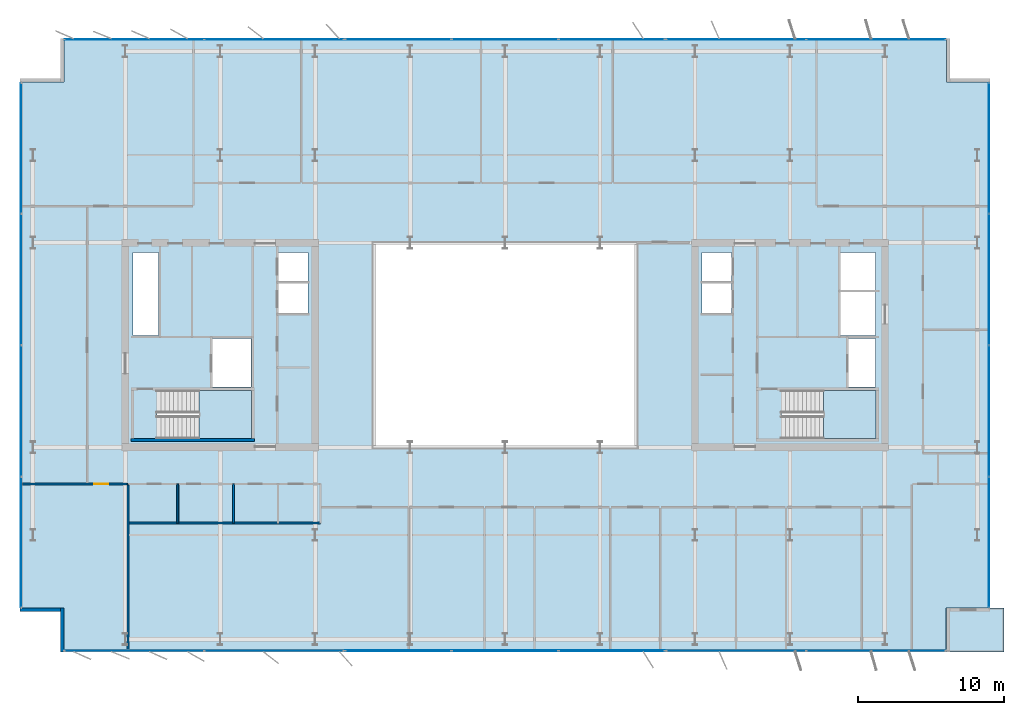
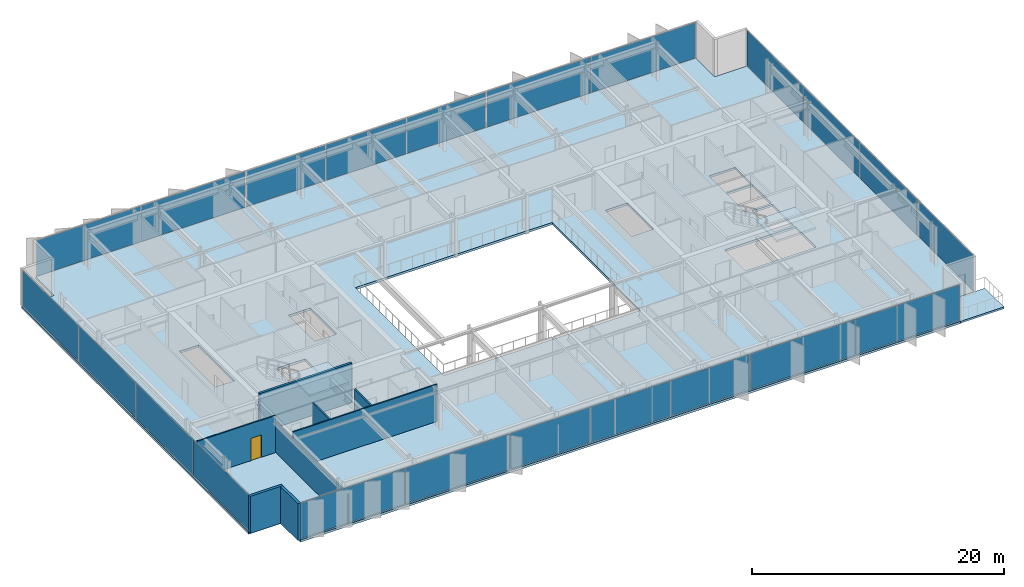
# One storey, part 16 of 24: 22 plates, 8 walls, 4 slabs, 1 door, 1 opening, 10 elements without a shape of their own.
"""IFC4 building model written with IfcOpenShell, lengths in metres."""

from ifc_helpers import new_model, si_unit, direction, frame, frame_2d, origin, origin_2d, place, context, subcontext, project, spatial, polyline, rectangle, outline, extrude, material, layer, layer_set, type_object, element, fill, aggregate, save


model = new_model("IFC4")

# Units and contexts
model_context = context("Model", 3, precision=1e-05, world=origin(), true_north=direction((0.0, 1.0)))
body_context = subcontext(model_context, "Body", "Model", "MODEL_VIEW")
ifc_project = project(units=[si_unit("LENGTHUNIT", "METRE"), si_unit("AREAUNIT", "SQUARE_METRE"), si_unit("VOLUMEUNIT", "CUBIC_METRE"), si_unit("PLANEANGLEUNIT", "RADIAN"), si_unit("MASSUNIT", "GRAM", prefix="KILO")], contexts=[model_context])

# Site, building, storey
site_placement = place(None, origin())
site = spatial("IfcSite", under=ifc_project, at=site_placement, CompositionType="ELEMENT")
building_placement = place(site_placement, origin())
building = spatial("IfcBuilding", under=site, at=building_placement, Name="Putna Gate Headquarters", CompositionType="ELEMENT")
storey_placement = place(building_placement, frame((0.0, 0.0, 244.199951171875)))
storey = spatial("IfcBuildingStorey", under=building, at=storey_placement, Name="L61", CompositionType="ELEMENT", Elevation=244.199951171875)

# Stair, slab
ifc_material_1 = material(Name="Concrete C40/50", Category="concrete")
stair_type_1 = type_object("IfcStairType", Name="STAIR-ST1", PredefinedType="HALF_TURN_STAIR", material=ifc_material_1)
stair_1_placement = place(storey_placement, origin())
stair_1 = element("IfcStair", 1, at=stair_1_placement, inside=storey, type_object=stair_type_1, Name="L61 West Core Exit Stair ST1", PredefinedType="HALF_TURN_STAIR")
ifc_layer_1 = layer(ifc_material_1, 0.199951171875)
ifc_layer_set_1 = layer_set([ifc_layer_1], Name="Concrete C40/50")
slab_type_1 = type_object("IfcSlabType", Name="LANDING-ST1", PredefinedType="LANDING", material=ifc_layer_set_1)
slab_1_placement = place(storey_placement, frame((0.0, 0.0, 1.699951171875)))
slab_1 = element("IfcSlab", 2, at=slab_1_placement, type_object=slab_type_1, Name="ST1 landing 1", PredefinedType="LANDING", context=body_context, shape_type="SweptSolid", body=[
    extrude(outline(polyline([(18.050048828125, 19.60009765625), (21.64990234375, 19.60009765625), (21.64990234375, 22.89990234375), (18.050048828125, 22.89990234375), (18.050048828125, 19.60009765625)])), origin(), (0.0, 0.0, 1.0), 0.2001953125),
])
aggregate(stair_1, [slab_1])

stair_type_2 = type_object("IfcStairType", Name="STAIR-ST2", PredefinedType="HALF_TURN_STAIR", material=ifc_material_1)
stair_2_placement = place(storey_placement, origin())
stair_2 = element("IfcStair", 3, at=stair_2_placement, inside=storey, type_object=stair_type_2, Name="L61 East Core Exit Stair ST2", PredefinedType="HALF_TURN_STAIR")
ifc_layer_2 = layer(ifc_material_1, 0.199951171875)
ifc_layer_set_2 = layer_set([ifc_layer_2], Name="Concrete C40/50")
slab_type_2 = type_object("IfcSlabType", Name="LANDING-ST2", PredefinedType="LANDING", material=ifc_layer_set_2)
slab_2_placement = place(storey_placement, frame((0.0, 0.0, 1.699951171875)))
slab_2 = element("IfcSlab", 4, at=slab_2_placement, type_object=slab_type_2, Name="ST2 landing 1", PredefinedType="LANDING", context=body_context, shape_type="SweptSolid", body=[
    extrude(outline(polyline([(60.800048828125, 19.60009765625), (64.39990234375, 19.60009765625), (64.39990234375, 22.89990234375), (60.800048828125, 22.89990234375), (60.800048828125, 19.60009765625)])), origin(), (0.0, 0.0, 1.0), 0.2001953125),
])
aggregate(stair_2, [slab_2])

# Curtain wall, plates
ifc_material_2 = material(Name="Anodised bronze aluminium curtain wall", Category="aluminium")
ifc_layer_3 = layer(ifc_material_2, 0.139892578125)
ifc_layer_set_3 = layer_set([ifc_layer_3], Name="Anodised bronze aluminium curtain wall")
curtain_wall_type_1 = type_object("IfcCurtainWallType", Name="CW-SYS-Z4", PredefinedType="USERDEFINED", material=ifc_layer_set_3)
curtain_wall_1_placement = place(storey_placement, origin())
curtain_wall_1 = element("IfcCurtainWall", 5, at=curtain_wall_1_placement, inside=storey, type_object=curtain_wall_type_1, Name="L61 South West Curtain Wall", ObjectType="STICK CURTAIN WALL", PredefinedType="USERDEFINED")
ifc_material_3 = material(Name="Solar-control triple low-E glass", Category="glass")
ifc_layer_4 = layer(ifc_material_3, 0.02587890625)
ifc_layer_set_4 = layer_set([ifc_layer_4], Name="Solar-control triple low-E glass")
plate_type_1 = type_object("IfcPlateType", Name="PAN-CWP-4", PredefinedType="CURTAIN_PANEL", material=ifc_layer_set_4)
plate_1_placement = place(storey_placement, frame((13.614990234375, 5.080078125, 0.06005859375), z_axis=(0.0, 0.0, 1.0), x_axis=(1.0, 0.0, 0.0)))
plate_1 = element("IfcPlate", 6, at=plate_1_placement, type_object=plate_type_1, Name="CWS-4 panel 1.1", PredefinedType="CURTAIN_PANEL", context=body_context, shape_type="SweptSolid", body=[
    extrude(rectangle(XDim=9.510009765625, YDim=0.02587890625, at=origin_2d()), origin(), (0.0, 0.0, 1.0), 3.4599609375),
])
plate_2_placement = place(storey_placement, frame((23.18505859375, 5.080078125, 0.06005859375), z_axis=(0.0, 0.0, 1.0), x_axis=(1.0, 0.0, 0.0)))
plate_2 = element("IfcPlate", 7, at=plate_2_placement, type_object=plate_type_1, Name="CWS-4 panel 2.1", PredefinedType="CURTAIN_PANEL", context=body_context, shape_type="SweptSolid", body=[
    extrude(rectangle(XDim=9.510009765625, YDim=0.02587890625, at=origin_2d()), origin(), (0.0, 0.0, 1.0), 3.4599609375),
])
aggregate(curtain_wall_1, [plate_1, plate_2])

curtain_wall_2_placement = place(storey_placement, origin())
curtain_wall_2 = element("IfcCurtainWall", 8, at=curtain_wall_2_placement, inside=storey, type_object=curtain_wall_type_1, Name="L61 South East Curtain Wall", ObjectType="STICK CURTAIN WALL", PredefinedType="USERDEFINED")
plate_3_placement = place(storey_placement, frame((54.81494140625, 5.080078125, 0.06005859375), z_axis=(0.0, 0.0, 1.0), x_axis=(1.0, 0.0, 0.0)))
plate_3 = element("IfcPlate", 9, at=plate_3_placement, type_object=plate_type_1, Name="CWS-4 panel 1.1", PredefinedType="CURTAIN_PANEL", context=body_context, shape_type="SweptSolid", body=[
    extrude(rectangle(XDim=9.510009765625, YDim=0.02587890625, at=origin_2d()), origin(), (0.0, 0.0, 1.0), 3.4599609375),
])
plate_4_placement = place(storey_placement, frame((64.385009765625, 5.080078125, 0.06005859375), z_axis=(0.0, 0.0, 1.0), x_axis=(1.0, 0.0, 0.0)))
plate_4 = element("IfcPlate", 10, at=plate_4_placement, type_object=plate_type_1, Name="CWS-4 panel 2.1", PredefinedType="CURTAIN_PANEL", context=body_context, shape_type="SweptSolid", body=[
    extrude(rectangle(XDim=9.510009765625, YDim=0.02587890625, at=origin_2d()), origin(), (0.0, 0.0, 1.0), 3.4599609375),
])
aggregate(curtain_wall_2, [plate_3, plate_4])

curtain_wall_3_placement = place(storey_placement, origin())
curtain_wall_3 = element("IfcCurtainWall", 11, at=curtain_wall_3_placement, inside=storey, type_object=curtain_wall_type_1, Name="L61 North West Curtain Wall", ObjectType="STICK CURTAIN WALL", PredefinedType="USERDEFINED")
plate_5_placement = place(storey_placement, frame((13.614990234375, 46.919921875, 0.06005859375), z_axis=(0.0, 0.0, 1.0), x_axis=(1.0, 0.0, 0.0)))
plate_5 = element("IfcPlate", 12, at=plate_5_placement, type_object=plate_type_1, Name="CWS-4 panel 1.1", PredefinedType="CURTAIN_PANEL", context=body_context, shape_type="SweptSolid", body=[
    extrude(rectangle(XDim=9.510009765625, YDim=0.02587890625, at=origin_2d()), origin(), (0.0, 0.0, 1.0), 3.4599609375),
])
plate_6_placement = place(storey_placement, frame((23.18505859375, 46.919921875, 0.06005859375), z_axis=(0.0, 0.0, 1.0), x_axis=(1.0, 0.0, 0.0)))
plate_6 = element("IfcPlate", 13, at=plate_6_placement, type_object=plate_type_1, Name="CWS-4 panel 2.1", PredefinedType="CURTAIN_PANEL", context=body_context, shape_type="SweptSolid", body=[
    extrude(rectangle(XDim=9.510009765625, YDim=0.02587890625, at=origin_2d()), origin(), (0.0, 0.0, 1.0), 3.4599609375),
])
aggregate(curtain_wall_3, [plate_5, plate_6])

curtain_wall_4_placement = place(storey_placement, origin())
curtain_wall_4 = element("IfcCurtainWall", 14, at=curtain_wall_4_placement, inside=storey, type_object=curtain_wall_type_1, Name="L61 North East Curtain Wall", ObjectType="STICK CURTAIN WALL", PredefinedType="USERDEFINED")
plate_7_placement = place(storey_placement, frame((54.81494140625, 46.919921875, 0.06005859375), z_axis=(0.0, 0.0, 1.0), x_axis=(1.0, 0.0, 0.0)))
plate_7 = element("IfcPlate", 15, at=plate_7_placement, type_object=plate_type_1, Name="CWS-4 panel 1.1", PredefinedType="CURTAIN_PANEL", context=body_context, shape_type="SweptSolid", body=[
    extrude(rectangle(XDim=9.510009765625, YDim=0.02587890625, at=origin_2d()), origin(), (0.0, 0.0, 1.0), 3.4599609375),
])
plate_8_placement = place(storey_placement, frame((64.385009765625, 46.919921875, 0.06005859375), z_axis=(0.0, 0.0, 1.0), x_axis=(1.0, 0.0, 0.0)))
plate_8 = element("IfcPlate", 16, at=plate_8_placement, type_object=plate_type_1, Name="CWS-4 panel 2.1", PredefinedType="CURTAIN_PANEL", context=body_context, shape_type="SweptSolid", body=[
    extrude(rectangle(XDim=9.510009765625, YDim=0.02587890625, at=origin_2d()), origin(), (0.0, 0.0, 1.0), 3.4599609375),
])
aggregate(curtain_wall_4, [plate_7, plate_8])

curtain_wall_5_placement = place(storey_placement, origin())
curtain_wall_5 = element("IfcCurtainWall", 17, at=curtain_wall_5_placement, inside=storey, type_object=curtain_wall_type_1, Name="L61 West Curtain Wall", ObjectType="STICK CURTAIN WALL", PredefinedType="USERDEFINED")
plate_9_placement = place(storey_placement, frame((5.8798828125, 12.514892578125, 0.06005859375), z_axis=(0.0, 0.0, 1.0), x_axis=(0.0, 1.0, 0.0)))
plate_9 = element("IfcPlate", 18, at=plate_9_placement, type_object=plate_type_1, Name="CWS-4 panel 1.1", PredefinedType="CURTAIN_PANEL", context=body_context, shape_type="SweptSolid", body=[
    extrude(rectangle(XDim=8.909912109375, YDim=0.02587890625, at=origin_2d()), origin(), (0.0, 0.0, 1.0), 3.4599609375),
])
plate_10_placement = place(storey_placement, frame((5.8798828125, 21.5, 0.06005859375), z_axis=(0.0, 0.0, 1.0), x_axis=(0.0, 1.0, 0.0)))
plate_10 = element("IfcPlate", 19, at=plate_10_placement, type_object=plate_type_1, Name="CWS-4 panel 2.1", PredefinedType="CURTAIN_PANEL", context=body_context, shape_type="SweptSolid", body=[
    extrude(rectangle(XDim=8.93994140625, YDim=0.02587890625, at=origin_2d()), origin(), (0.0, 0.0, 1.0), 3.4599609375),
])
plate_11_placement = place(storey_placement, frame((5.8798828125, 30.5, 0.06005859375), z_axis=(0.0, 0.0, 1.0), x_axis=(0.0, 1.0, 0.0)))
plate_11 = element("IfcPlate", 20, at=plate_11_placement, type_object=plate_type_1, Name="CWS-4 panel 3.1", PredefinedType="CURTAIN_PANEL", context=body_context, shape_type="SweptSolid", body=[
    extrude(rectangle(XDim=8.93994140625, YDim=0.02587890625, at=origin_2d()), origin(), (0.0, 0.0, 1.0), 3.4599609375),
])
plate_12_placement = place(storey_placement, frame((5.8798828125, 39.485107421875, 0.06005859375), z_axis=(0.0, 0.0, 1.0), x_axis=(0.0, 1.0, 0.0)))
plate_12 = element("IfcPlate", 21, at=plate_12_placement, type_object=plate_type_1, Name="CWS-4 panel 4.1", PredefinedType="CURTAIN_PANEL", context=body_context, shape_type="SweptSolid", body=[
    extrude(rectangle(XDim=8.909912109375, YDim=0.02587890625, at=origin_2d()), origin(), (0.0, 0.0, 1.0), 3.4599609375),
])
aggregate(curtain_wall_5, [plate_9, plate_10, plate_11, plate_12])

curtain_wall_6_placement = place(storey_placement, origin())
curtain_wall_6 = element("IfcCurtainWall", 22, at=curtain_wall_6_placement, inside=storey, type_object=curtain_wall_type_1, Name="L61 East Curtain Wall", ObjectType="STICK CURTAIN WALL", PredefinedType="USERDEFINED")
plate_13_placement = place(storey_placement, frame((72.1201171875, 12.514892578125, 0.06005859375), z_axis=(0.0, 0.0, 1.0), x_axis=(0.0, 1.0, 0.0)))
plate_13 = element("IfcPlate", 23, at=plate_13_placement, type_object=plate_type_1, Name="CWS-4 panel 1.1", PredefinedType="CURTAIN_PANEL", context=body_context, shape_type="SweptSolid", body=[
    extrude(rectangle(XDim=8.909912109375, YDim=0.02587890625, at=origin_2d()), origin(), (0.0, 0.0, 1.0), 3.4599609375),
])
plate_14_placement = place(storey_placement, frame((72.1201171875, 21.5, 0.06005859375), z_axis=(0.0, 0.0, 1.0), x_axis=(0.0, 1.0, 0.0)))
plate_14 = element("IfcPlate", 24, at=plate_14_placement, type_object=plate_type_1, Name="CWS-4 panel 2.1", PredefinedType="CURTAIN_PANEL", context=body_context, shape_type="SweptSolid", body=[
    extrude(rectangle(XDim=8.93994140625, YDim=0.02587890625, at=origin_2d()), origin(), (0.0, 0.0, 1.0), 3.4599609375),
])
plate_15_placement = place(storey_placement, frame((72.1201171875, 30.5, 0.06005859375), z_axis=(0.0, 0.0, 1.0), x_axis=(0.0, 1.0, 0.0)))
plate_15 = element("IfcPlate", 25, at=plate_15_placement, type_object=plate_type_1, Name="CWS-4 panel 3.1", PredefinedType="CURTAIN_PANEL", context=body_context, shape_type="SweptSolid", body=[
    extrude(rectangle(XDim=8.93994140625, YDim=0.02587890625, at=origin_2d()), origin(), (0.0, 0.0, 1.0), 3.4599609375),
])
plate_16_placement = place(storey_placement, frame((72.1201171875, 39.485107421875, 0.06005859375), z_axis=(0.0, 0.0, 1.0), x_axis=(0.0, 1.0, 0.0)))
plate_16 = element("IfcPlate", 26, at=plate_16_placement, type_object=plate_type_1, Name="CWS-4 panel 4.1", PredefinedType="CURTAIN_PANEL", context=body_context, shape_type="SweptSolid", body=[
    extrude(rectangle(XDim=8.909912109375, YDim=0.02587890625, at=origin_2d()), origin(), (0.0, 0.0, 1.0), 3.4599609375),
])
aggregate(curtain_wall_6, [plate_13, plate_14, plate_15, plate_16])

ifc_layer_5 = layer(ifc_material_2, 0.179931640625)
ifc_layer_set_5 = layer_set([ifc_layer_5], Name="Anodised bronze aluminium curtain wall")
curtain_wall_type_2 = type_object("IfcCurtainWallType", Name="CW-SYS-ATR", PredefinedType="USERDEFINED", material=ifc_layer_set_5)
curtain_wall_7_placement = place(storey_placement, origin())
curtain_wall_7 = element("IfcCurtainWall", 27, at=curtain_wall_7_placement, inside=storey, type_object=curtain_wall_type_2, Name="L61 South Atrium Clear Glazing", ObjectType="ATRIUM GLAZING", PredefinedType="USERDEFINED")
ifc_material_4 = material(Name="Clear low-iron triple glazing", Category="glass")
ifc_layer_6 = layer(ifc_material_4, 0.0400390625)
ifc_layer_set_6 = layer_set([ifc_layer_6], Name="Clear low-iron triple glazing")
plate_type_2 = type_object("IfcPlateType", Name="PAN-CWP-AT", PredefinedType="CURTAIN_PANEL", material=ifc_layer_set_6)
plate_17_placement = place(storey_placement, frame((31.68408203125, 5.080078125, 0.070068359375), z_axis=(0.0, 0.0, 1.0), x_axis=(1.0, 0.0, 0.0)))
plate_17 = element("IfcPlate", 28, at=plate_17_placement, type_object=plate_type_2, Name="CWS-AT panel 1.1", PredefinedType="CURTAIN_PANEL", context=body_context, shape_type="SweptSolid", body=[
    extrude(rectangle(XDim=7.228271484375, YDim=0.0400390625, at=origin_2d()), origin(), (0.0, 0.0, 1.0), 3.43994140625),
])
plate_18_placement = place(storey_placement, frame((39.0, 5.080078125, 0.070068359375), z_axis=(0.0, 0.0, 1.0), x_axis=(1.0, 0.0, 0.0)))
plate_18 = element("IfcPlate", 29, at=plate_18_placement, type_object=plate_type_2, Name="CWS-AT panel 2.1", PredefinedType="CURTAIN_PANEL", context=body_context, shape_type="SweptSolid", body=[
    extrude(rectangle(XDim=7.263427734375, YDim=0.0400390625, at=origin_2d()), origin(), (0.0, 0.0, 1.0), 3.43994140625),
])
plate_19_placement = place(storey_placement, frame((46.31591796875, 5.080078125, 0.070068359375), z_axis=(0.0, 0.0, 1.0), x_axis=(1.0, 0.0, 0.0)))
plate_19 = element("IfcPlate", 30, at=plate_19_placement, type_object=plate_type_2, Name="CWS-AT panel 3.1", PredefinedType="CURTAIN_PANEL", context=body_context, shape_type="SweptSolid", body=[
    extrude(rectangle(XDim=7.228271484375, YDim=0.0400390625, at=origin_2d()), origin(), (0.0, 0.0, 1.0), 3.43994140625),
])
aggregate(curtain_wall_7, [plate_17, plate_18, plate_19])

curtain_wall_8_placement = place(storey_placement, origin())
curtain_wall_8 = element("IfcCurtainWall", 31, at=curtain_wall_8_placement, inside=storey, type_object=curtain_wall_type_2, Name="L61 North Atrium Clear Glazing", ObjectType="ATRIUM GLAZING", PredefinedType="USERDEFINED")
plate_20_placement = place(storey_placement, frame((31.68408203125, 46.919921875, 0.070068359375), z_axis=(0.0, 0.0, 1.0), x_axis=(1.0, 0.0, 0.0)))
plate_20 = element("IfcPlate", 32, at=plate_20_placement, type_object=plate_type_2, Name="CWS-AT panel 1.1", PredefinedType="CURTAIN_PANEL", context=body_context, shape_type="SweptSolid", body=[
    extrude(rectangle(XDim=7.228271484375, YDim=0.0400390625, at=origin_2d()), origin(), (0.0, 0.0, 1.0), 3.43994140625),
])
plate_21_placement = place(storey_placement, frame((39.0, 46.919921875, 0.070068359375), z_axis=(0.0, 0.0, 1.0), x_axis=(1.0, 0.0, 0.0)))
plate_21 = element("IfcPlate", 33, at=plate_21_placement, type_object=plate_type_2, Name="CWS-AT panel 2.1", PredefinedType="CURTAIN_PANEL", context=body_context, shape_type="SweptSolid", body=[
    extrude(rectangle(XDim=7.263427734375, YDim=0.0400390625, at=origin_2d()), origin(), (0.0, 0.0, 1.0), 3.43994140625),
])
plate_22_placement = place(storey_placement, frame((46.31591796875, 46.919921875, 0.070068359375), z_axis=(0.0, 0.0, 1.0), x_axis=(1.0, 0.0, 0.0)))
plate_22 = element("IfcPlate", 34, at=plate_22_placement, type_object=plate_type_2, Name="CWS-AT panel 3.1", PredefinedType="CURTAIN_PANEL", context=body_context, shape_type="SweptSolid", body=[
    extrude(rectangle(XDim=7.228271484375, YDim=0.0400390625, at=origin_2d()), origin(), (0.0, 0.0, 1.0), 3.43994140625),
])
aggregate(curtain_wall_8, [plate_20, plate_21, plate_22])

# Slabs
ifc_layer_7 = layer(ifc_material_1, 0.179931640625)
ifc_layer_set_7 = layer_set([ifc_layer_7], Name="Concrete C40/50")
slab_type_3 = type_object("IfcSlabType", Name="SLAB-TERRACE-180", PredefinedType="FLOOR", material=ifc_layer_set_7)
slab_3_placement = place(storey_placement, frame((0.0, 0.0, -0.179931640625)))
element("IfcSlab", 35, at=slab_3_placement, inside=storey, type_object=slab_type_3, Name="L61 Spiral Sky-Garden Terrace Slab (SE)", PredefinedType="FLOOR", context=body_context, shape_type="SweptSolid", body=[
    extrude(outline(polyline([(69.19189453125, 5.0), (73.14990234375, 5.0), (73.14990234375, 8.008056640625), (69.19189453125, 8.008056640625), (69.19189453125, 5.0)])), origin(), (0.0, 0.0, 1.0), 0.179931640625),
])
ifc_layer_8 = layer(ifc_material_1, 0.219970703125)
ifc_layer_set_8 = layer_set([ifc_layer_8], Name="Concrete C40/50")
slab_type_4 = type_object("IfcSlabType", Name="SLAB-Z4-220", PredefinedType="FLOOR", material=ifc_layer_set_8)
slab_4_placement = place(storey_placement, frame((0.0, 0.0, -0.219970703125)))
element("IfcSlab", 36, at=slab_4_placement, inside=storey, type_object=slab_type_4, Name="L61 Composite Floor Slab", PredefinedType="FLOOR", context=body_context, shape_type="SweptSolid", body=[
    extrude(outline(polyline([(8.800048828125, 5.0), (69.199951171875, 5.0), (69.199951171875, 8.0), (72.199951171875, 8.0), (72.199951171875, 44.0), (69.199951171875, 44.0), (69.199951171875, 47.0), (8.800048828125, 47.0), (8.800048828125, 44.0), (5.800048828125, 44.0), (5.800048828125, 8.0), (8.800048828125, 8.0), (8.800048828125, 5.0)]), holes=[polyline([(15.1650390625, 19.60009765625), (21.64990234375, 19.60009765625), (21.64990234375, 22.89990234375), (15.1650390625, 22.89990234375), (15.1650390625, 19.60009765625)]), polyline([(57.9150390625, 19.60009765625), (64.39990234375, 19.60009765625), (64.39990234375, 22.89990234375), (57.9150390625, 22.89990234375), (57.9150390625, 19.60009765625)]), polyline([(13.52001953125, 26.659912109375), (15.280029296875, 26.659912109375), (15.280029296875, 32.35009765625), (13.52001953125, 32.35009765625), (13.52001953125, 26.659912109375)]), polyline([(61.969970703125, 29.780029296875), (64.35009765625, 29.780029296875), (64.35009765625, 32.35009765625), (61.969970703125, 32.35009765625), (61.969970703125, 29.780029296875)]), polyline([(18.97998046875, 23.1201171875), (21.6201171875, 23.1201171875), (21.6201171875, 26.4599609375), (18.97998046875, 26.4599609375), (18.97998046875, 23.1201171875)]), polyline([(62.52001953125, 23.1201171875), (64.35009765625, 23.1201171875), (64.35009765625, 26.4599609375), (62.52001953125, 26.4599609375), (62.52001953125, 23.1201171875)]), polyline([(61.969970703125, 26.659912109375), (64.35009765625, 26.659912109375), (64.35009765625, 29.6201171875), (61.969970703125, 29.6201171875), (61.969970703125, 26.659912109375)]), polyline([(23.5, 28.199951171875), (25.5, 28.199951171875), (25.5, 32.35009765625), (23.5, 32.35009765625), (23.5, 28.199951171875)]), polyline([(52.47998046875, 28.199951171875), (54.5, 28.199951171875), (54.5, 32.35009765625), (52.47998046875, 32.35009765625), (52.47998046875, 28.199951171875)]), polyline([(30.0, 19.0), (48.0, 19.0), (48.0, 33.0), (30.0, 33.0), (30.0, 19.0)])]), origin(), (0.0, 0.0, 1.0), 0.219970703125),
])

# Walls
ifc_material_5 = material(Name="Precast concrete C40/50", Category="concrete")
ifc_layer_9 = layer(ifc_material_5, 0.239990234375)
ifc_layer_set_9 = layer_set([ifc_layer_9], Name="Precast concrete C40/50")
wall_type_1 = type_object("IfcWallType", Name="WALL-EXT-TERR-240", PredefinedType="STANDARD", material=ifc_layer_set_9)
for number, where, z_axis, x_axis, name in (
    (37, (8.679931640625, 5.0, 0.0), (0.0, 0.0, 1.0), (0.0, 1.0, 0.0), "L61 Corner Notch Return Wall SW-V"),
    (38, (8.800048828125, 7.8798828125, 0.0), (0.0, 0.0, 1.0), (-1.0, 0.0, 0.0), "L61 Corner Notch Return Wall SW-H"),
):
    element("IfcWall", number, at=place(storey_placement, frame(where, z_axis=z_axis, x_axis=x_axis)), inside=storey, type_object=wall_type_1, Name=name, PredefinedType="STANDARD", context=body_context, shape_type="SweptSolid", body=[
        extrude(rectangle(XDim=3.0, YDim=0.239990234375, at=frame_2d((1.5, 0.0))), origin(), (0.0, 0.0, 1.0), 3.580078125),
    ])
ifc_material_6 = material(Name="Acoustic gypsum board on metal stud")
ifc_layer_10 = layer(ifc_material_6, 0.1201171875)
ifc_layer_set_10 = layer_set([ifc_layer_10], Name="Acoustic gypsum board on metal stud")
wall_type_2 = type_object("IfcWallType", Name="WALL-PART-120", PredefinedType="PARTITIONING", material=ifc_layer_set_10)
wall_1_placement = place(storey_placement, frame((13.199951171875, 5.02001953125, 0.0), z_axis=(0.0, 0.0, 1.0), x_axis=(0.0, 1.0, 0.0)))
element("IfcWall", 39, at=wall_1_placement, inside=storey, type_object=wall_type_2, Name="L61 Interior Wall PART-L61-SB-DIV-01", PredefinedType="PARTITIONING", context=body_context, shape_type="SweptSolid", body=[
    extrude(rectangle(XDim=11.419921875, YDim=0.1201171875, at=frame_2d((5.7099609375, 0.0))), origin(), (0.0, 0.0, 1.0), 2.880126953125),
])
ifc_material_7 = material(Name="Fire-rated gypsum board on metal stud")
ifc_layer_11 = layer(ifc_material_7, 0.1201171875)
ifc_layer_set_11 = layer_set([ifc_layer_11], Name="Fire-rated gypsum board on metal stud")
wall_type_3 = type_object("IfcWallType", Name="WALL-PART-120-RATED", PredefinedType="PARTITIONING", material=ifc_layer_set_11)
wall_2_placement = place(storey_placement, frame((13.199951171875, 13.820068359375, 0.0), z_axis=(0.0, 0.0, 1.0), x_axis=(1.0, 0.0, 0.0)))
element("IfcWall", 40, at=wall_2_placement, inside=storey, type_object=wall_type_3, Name="L61 Interior Wall PART-L61-SAN-BACK", PredefinedType="PARTITIONING", context=body_context, shape_type="SweptSolid", body=[
    extrude(rectangle(XDim=13.16015625, YDim=0.1201171875, at=frame_2d((6.580078125, 0.0))), origin(), (0.0, 0.0, 1.0), 3.580078125),
])
for number, where, z_axis, x_axis, name in (
    (41, (16.60009765625, 13.820068359375, 0.0), (0.0, 0.0, 1.0), (0.0, 1.0, 0.0), "L61 Interior Wall PART-L61-SAN-DIV-1"),
    (42, (20.419921875, 13.820068359375, 0.0), (0.0, 0.0, 1.0), (0.0, 1.0, 0.0), "L61 Interior Wall PART-L61-SAN-DIV-2"),
):
    element("IfcWall", number, at=place(storey_placement, frame(where, z_axis=z_axis, x_axis=x_axis)), inside=storey, type_object=wall_type_3, Name=name, PredefinedType="PARTITIONING", context=body_context, shape_type="SweptSolid", body=[
        extrude(rectangle(XDim=2.679931640625, YDim=0.1201171875, at=frame_2d((1.33984375, 0.0))), origin(), (0.0, 0.0, 1.0), 3.580078125),
    ])

# Wall, opening, door
wall_3_placement = place(storey_placement, frame((5.97998046875, 16.5, 0.0), z_axis=(0.0, 0.0, 1.0), x_axis=(1.0, 0.0, 0.0)))
wall_3 = element("IfcWall", 43, at=wall_3_placement, inside=storey, type_object=wall_type_3, Name="L61 Interior Wall PART-L61-SB-CW-01", PredefinedType="PARTITIONING", context=body_context, shape_type="SweptSolid", body=[
    extrude(rectangle(XDim=7.159912109375, YDim=0.1201171875, at=frame_2d((3.580078125, 0.0))), origin(), (0.0, 0.0, 1.0), 3.580078125),
])
opening_placement = place(wall_3_placement, frame((4.89990234375, 0.0, 0.0)))
opening = element("IfcOpeningElement", 44, at=opening_placement, cuts=wall_3, Name="Opening FD-95", PredefinedType="OPENING", context=body_context, shape_type="SweptSolid", body=[
    extrude(rectangle(XDim=0.949951171875, YDim=2.14990234375, at=frame_2d((0.47509765625, 1.074951171875))), frame((0.0, 0.070068359375, 0.0), z_axis=(0.0, -1.0, 0.0), x_axis=(1.0, 0.0, 0.0)), (0.0, 0.0, 1.0), 0.14013671875),
])
ifc_material_8 = material(Name="Acoustic timber fire door", Category="wood")
door_type = type_object("IfcDoorType", Name="DOOR-FIRE-950", OperationType="NOTDEFINED", PredefinedType="DOOR", material=ifc_material_8)
door_placement = place(opening_placement, origin())
door = element("IfcDoor", 45, at=door_placement, inside=storey, type_object=door_type, Name="L61 Conference Meeting Room 2 Door", OperationType="SINGLE_SWING_RIGHT", OverallHeight=2.14990234375, OverallWidth=0.949951171875, PredefinedType="DOOR", context=body_context, shape_type="SweptSolid", body=[
    extrude(rectangle(XDim=0.949951171875, YDim=2.14990234375, at=frame_2d((0.47509765625, 1.074951171875))), frame((0.0, 0.02490234375, 0.0), z_axis=(0.0, -1.0, 0.0), x_axis=(1.0, 0.0, 0.0)), (0.0, 0.0, 1.0), 0.050048828125),
])
fill(opening, door)

# Wall
ifc_layer_12 = layer(ifc_material_1, 0.199951171875)
ifc_layer_set_12 = layer_set([ifc_layer_12], Name="Concrete C40/50")
wall_type_4 = type_object("IfcWallType", Name="WALL-SHAFT-RC200", PredefinedType="SHEAR", material=ifc_layer_set_12)
wall_4_placement = place(storey_placement, frame((13.409912109375, 19.510009765625, 0.0), z_axis=(0.0, 0.0, 1.0), x_axis=(1.0, 0.0, 0.0)))
element("IfcWall", 46, at=wall_4_placement, inside=storey, type_object=wall_type_4, Name="L61 Stair ST1 Structural Shaft Wall S", PredefinedType="SHEAR", context=body_context, shape_type="SweptSolid", body=[
    extrude(rectangle(XDim=8.43017578125, YDim=0.199951171875, at=frame_2d((4.215087890625, 0.0))), origin(), (0.0, 0.0, 1.0), 3.800048828125),
])

save(model, "model.ifc")
